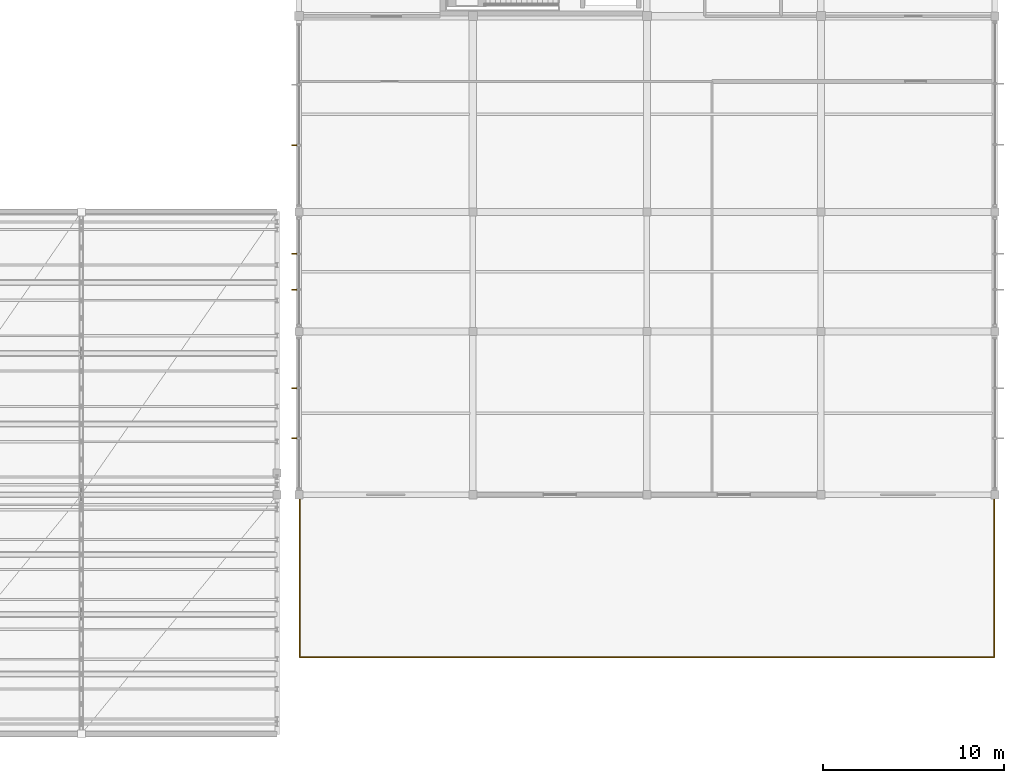
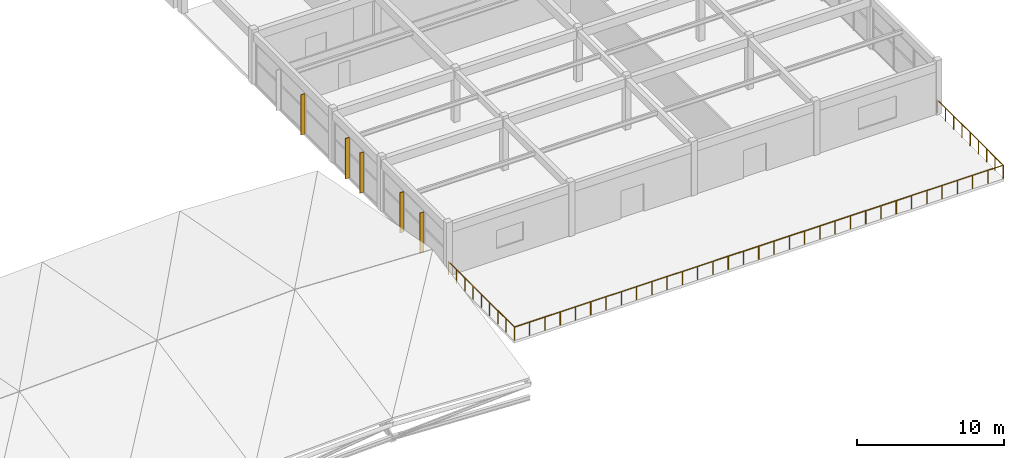
# One storey, part 84 of 89: 5 shading devices, 1 railing.
"""IFC4 building model written with IfcOpenShell, lengths in metres."""

from ifc_helpers import new_model, si_unit, direction, frame, origin, origin_2d, place, context, subcontext, project, spatial, rectangle, circle, extrude, material, type_object, element, save


model = new_model("IFC4")

# Units and contexts
model_context = context("Model", 3, precision=1e-05, world=origin(), true_north=direction((0.0, 1.0)))
body_context = subcontext(model_context, "Body", "Model", "MODEL_VIEW")
ifc_project = project(units=[si_unit("LENGTHUNIT", "METRE"), si_unit("AREAUNIT", "SQUARE_METRE"), si_unit("VOLUMEUNIT", "CUBIC_METRE"), si_unit("PLANEANGLEUNIT", "RADIAN"), si_unit("MASSUNIT", "GRAM", prefix="KILO")], contexts=[model_context])

# Site, building, storey
site_placement = place(None, origin())
site = spatial("IfcSite", under=ifc_project, at=site_placement, CompositionType="ELEMENT")
building_placement = place(site_placement, origin())
building = spatial("IfcBuilding", under=site, at=building_placement, Name="Suirenkawa Promenade Aquatics Centre", CompositionType="ELEMENT")
storey_placement = place(building_placement, frame((0.0, 0.0, 9.60009765625)))
storey = spatial("IfcBuildingStorey", under=building, at=storey_placement, Name="L02", CompositionType="ELEMENT", Elevation=9.60009765625)

# Railing
ifc_material_1 = material(Name="Marine-grade stainless steel Grade 316L", Category="steel")
railing_type = type_object("IfcRailingType", Name="RLT-BALUSTRADE-1120", PredefinedType="BALUSTRADE", material=ifc_material_1)
railing_placement = place(storey_placement, frame((156.0400390625, 13.199951171875, 0.0)))
element("IfcRailing", 1, at=railing_placement, inside=storey, type_object=railing_type, Name="Balustrade BAL-01 RL-0384", PredefinedType="BALUSTRADE", context=body_context, shape_type="SweptSolid", body=[
    extrude(circle(Radius=0.02392578125, at=origin_2d()), frame((0.0, 0.0, 1.09619140625), z_axis=(0.0, -1.0, 0.0), x_axis=(1.0, 0.0, 0.0)), (0.0, 0.0, 1.0), 8.9599609375),
    extrude(circle(Radius=0.02392578125, at=origin_2d()), frame((0.0, -8.9599609375, 1.09619140625), z_axis=(1.0, 0.0, 0.0), x_axis=(0.0, 1.0, 0.0)), (0.0, 0.0, 1.0), 38.320068359375),
    extrude(circle(Radius=0.02392578125, at=origin_2d()), frame((38.320068359375, -8.9599609375, 1.09619140625), z_axis=(0.0, 1.0, 0.0), x_axis=(-1.0, 0.0, 0.0)), (0.0, 0.0, 1.0), 8.9599609375),
    extrude(circle(Radius=0.02099609375, at=origin_2d()), origin(), (0.0, 0.0, 1.0), 1.072021484375),
    extrude(circle(Radius=0.02099609375, at=origin_2d()), frame((0.0, -1.1201171875, 0.0)), (0.0, 0.0, 1.0), 1.072021484375),
    extrude(circle(Radius=0.02099609375, at=origin_2d()), frame((0.0, -2.239990234375, 0.0)), (0.0, 0.0, 1.0), 1.072021484375),
    extrude(circle(Radius=0.02099609375, at=origin_2d()), frame((0.0, -3.35986328125, 0.0)), (0.0, 0.0, 1.0), 1.072021484375),
    extrude(circle(Radius=0.02099609375, at=origin_2d()), frame((0.0, -4.47998046875, 0.0)), (0.0, 0.0, 1.0), 1.072021484375),
    extrude(circle(Radius=0.02099609375, at=origin_2d()), frame((0.0, -5.60009765625, 0.0)), (0.0, 0.0, 1.0), 1.072021484375),
    extrude(circle(Radius=0.02099609375, at=origin_2d()), frame((0.0, -6.719970703125, 0.0)), (0.0, 0.0, 1.0), 1.072021484375),
    extrude(circle(Radius=0.02099609375, at=origin_2d()), frame((0.0, -7.83984375, 0.0)), (0.0, 0.0, 1.0), 1.072021484375),
    extrude(circle(Radius=0.02099609375, at=origin_2d()), frame((0.0, -8.9599609375, 0.0)), (0.0, 0.0, 1.0), 1.072021484375),
    extrude(circle(Radius=0.02099609375, at=origin_2d()), frame((1.197509765625, -8.9599609375, 0.0)), (0.0, 0.0, 1.0), 1.072021484375),
    extrude(circle(Radius=0.02099609375, at=origin_2d()), frame((2.39501953125, -8.9599609375, 0.0)), (0.0, 0.0, 1.0), 1.072021484375),
    extrude(circle(Radius=0.02099609375, at=origin_2d()), frame((3.592529296875, -8.9599609375, 0.0)), (0.0, 0.0, 1.0), 1.072021484375),
    extrude(circle(Radius=0.02099609375, at=origin_2d()), frame((4.7900390625, -8.9599609375, 0.0)), (0.0, 0.0, 1.0), 1.072021484375),
    extrude(circle(Radius=0.02099609375, at=origin_2d()), frame((5.987548828125, -8.9599609375, 0.0)), (0.0, 0.0, 1.0), 1.072021484375),
    extrude(circle(Radius=0.02099609375, at=origin_2d()), frame((7.18505859375, -8.9599609375, 0.0)), (0.0, 0.0, 1.0), 1.072021484375),
    extrude(circle(Radius=0.02099609375, at=origin_2d()), frame((8.382568359375, -8.9599609375, 0.0)), (0.0, 0.0, 1.0), 1.072021484375),
    extrude(circle(Radius=0.02099609375, at=origin_2d()), frame((9.580078125, -8.9599609375, 0.0)), (0.0, 0.0, 1.0), 1.072021484375),
    extrude(circle(Radius=0.02099609375, at=origin_2d()), frame((10.777587890625, -8.9599609375, 0.0)), (0.0, 0.0, 1.0), 1.072021484375),
    extrude(circle(Radius=0.02099609375, at=origin_2d()), frame((11.97509765625, -8.9599609375, 0.0)), (0.0, 0.0, 1.0), 1.072021484375),
    extrude(circle(Radius=0.02099609375, at=origin_2d()), frame((13.172607421875, -8.9599609375, 0.0)), (0.0, 0.0, 1.0), 1.072021484375),
    extrude(circle(Radius=0.02099609375, at=origin_2d()), frame((14.3701171875, -8.9599609375, 0.0)), (0.0, 0.0, 1.0), 1.072021484375),
    extrude(circle(Radius=0.02099609375, at=origin_2d()), frame((15.567626953125, -8.9599609375, 0.0)), (0.0, 0.0, 1.0), 1.072021484375),
    extrude(circle(Radius=0.02099609375, at=origin_2d()), frame((16.76513671875, -8.9599609375, 0.0)), (0.0, 0.0, 1.0), 1.072021484375),
    extrude(circle(Radius=0.02099609375, at=origin_2d()), frame((17.962646484375, -8.9599609375, 0.0)), (0.0, 0.0, 1.0), 1.072021484375),
    extrude(circle(Radius=0.02099609375, at=origin_2d()), frame((19.16015625, -8.9599609375, 0.0)), (0.0, 0.0, 1.0), 1.072021484375),
    extrude(circle(Radius=0.02099609375, at=origin_2d()), frame((20.357421875, -8.9599609375, 0.0)), (0.0, 0.0, 1.0), 1.072021484375),
    extrude(circle(Radius=0.02099609375, at=origin_2d()), frame((21.554931640625, -8.9599609375, 0.0)), (0.0, 0.0, 1.0), 1.072021484375),
    extrude(circle(Radius=0.02099609375, at=origin_2d()), frame((22.75244140625, -8.9599609375, 0.0)), (0.0, 0.0, 1.0), 1.072021484375),
    extrude(circle(Radius=0.02099609375, at=origin_2d()), frame((23.949951171875, -8.9599609375, 0.0)), (0.0, 0.0, 1.0), 1.072021484375),
    extrude(circle(Radius=0.02099609375, at=origin_2d()), frame((25.1474609375, -8.9599609375, 0.0)), (0.0, 0.0, 1.0), 1.072021484375),
    extrude(circle(Radius=0.02099609375, at=origin_2d()), frame((26.344970703125, -8.9599609375, 0.0)), (0.0, 0.0, 1.0), 1.072021484375),
    extrude(circle(Radius=0.02099609375, at=origin_2d()), frame((27.54248046875, -8.9599609375, 0.0)), (0.0, 0.0, 1.0), 1.072021484375),
    extrude(circle(Radius=0.02099609375, at=origin_2d()), frame((28.739990234375, -8.9599609375, 0.0)), (0.0, 0.0, 1.0), 1.072021484375),
    extrude(circle(Radius=0.02099609375, at=origin_2d()), frame((29.9375, -8.9599609375, 0.0)), (0.0, 0.0, 1.0), 1.072021484375),
    extrude(circle(Radius=0.02099609375, at=origin_2d()), frame((31.135009765625, -8.9599609375, 0.0)), (0.0, 0.0, 1.0), 1.072021484375),
    extrude(circle(Radius=0.02099609375, at=origin_2d()), frame((32.33251953125, -8.9599609375, 0.0)), (0.0, 0.0, 1.0), 1.072021484375),
    extrude(circle(Radius=0.02099609375, at=origin_2d()), frame((33.530029296875, -8.9599609375, 0.0)), (0.0, 0.0, 1.0), 1.072021484375),
    extrude(circle(Radius=0.02099609375, at=origin_2d()), frame((34.7275390625, -8.9599609375, 0.0)), (0.0, 0.0, 1.0), 1.072021484375),
    extrude(circle(Radius=0.02099609375, at=origin_2d()), frame((35.925048828125, -8.9599609375, 0.0)), (0.0, 0.0, 1.0), 1.072021484375),
    extrude(circle(Radius=0.02099609375, at=origin_2d()), frame((37.12255859375, -8.9599609375, 0.0)), (0.0, 0.0, 1.0), 1.072021484375),
    extrude(circle(Radius=0.02099609375, at=origin_2d()), frame((38.320068359375, -8.9599609375, 0.0)), (0.0, 0.0, 1.0), 1.072021484375),
    extrude(circle(Radius=0.02099609375, at=origin_2d()), frame((38.320068359375, -7.83984375, 0.0)), (0.0, 0.0, 1.0), 1.072021484375),
    extrude(circle(Radius=0.02099609375, at=origin_2d()), frame((38.320068359375, -6.719970703125, 0.0)), (0.0, 0.0, 1.0), 1.072021484375),
    extrude(circle(Radius=0.02099609375, at=origin_2d()), frame((38.320068359375, -5.60009765625, 0.0)), (0.0, 0.0, 1.0), 1.072021484375),
    extrude(circle(Radius=0.02099609375, at=origin_2d()), frame((38.320068359375, -4.47998046875, 0.0)), (0.0, 0.0, 1.0), 1.072021484375),
    extrude(circle(Radius=0.02099609375, at=origin_2d()), frame((38.320068359375, -3.35986328125, 0.0)), (0.0, 0.0, 1.0), 1.072021484375),
    extrude(circle(Radius=0.02099609375, at=origin_2d()), frame((38.320068359375, -2.239990234375, 0.0)), (0.0, 0.0, 1.0), 1.072021484375),
    extrude(circle(Radius=0.02099609375, at=origin_2d()), frame((38.320068359375, -1.1201171875, 0.0)), (0.0, 0.0, 1.0), 1.072021484375),
    extrude(circle(Radius=0.02099609375, at=origin_2d()), frame((38.320068359375, 0.0, 0.0)), (0.0, 0.0, 1.0), 1.072021484375),
])

# Shading devices
ifc_material_2 = material(Name="Anodised aluminium 6063-T6", Category="aluminium")
shading_device_type = type_object("IfcShadingDeviceType", Name="SDT-KOUSHI-320", PredefinedType="USERDEFINED", material=ifc_material_2)
for number, where, z_axis, x_axis, name in (
    (2, (155.76806640625, 16.31640625, 0.0400390625), (0.0, 0.0, 1.0), (-1.0, 0.0, 0.0), "Vertical solar shading fin FN-02 FIN-0051"),
    (3, (155.76806640625, 19.083740234375, 0.0400390625), (0.0, 0.0, 1.0), (-1.0, 0.0, 0.0), "Vertical solar shading fin FN-02 FIN-0052"),
    (4, (155.76806640625, 24.516357421875, 0.0400390625), (0.0, 0.0, 1.0), (-1.0, 0.0, 0.0), "Vertical solar shading fin FN-02 FIN-0055"),
    (5, (155.76806640625, 26.483642578125, 0.0400390625), (0.0, 0.0, 1.0), (-1.0, 0.0, 0.0), "Vertical solar shading fin FN-02 FIN-0056"),
    (6, (155.76806640625, 32.48291015625, 0.0400390625), (0.0, 0.0, 1.0), (-1.0, 0.0, 0.0), "Vertical solar shading fin FN-02 FIN-0059"),
):
    element("IfcShadingDevice", number, at=place(storey_placement, frame(where, z_axis=z_axis, x_axis=x_axis)), inside=storey, type_object=shading_device_type, Name=name, ObjectType="FIN", PredefinedType="USERDEFINED", context=body_context, shape_type="SweptSolid", body=[
        extrude(rectangle(XDim=0.320068359375, YDim=0.06005859375, at=origin_2d()), origin(), (0.0, 0.0, 1.0), 3.340087890625),
    ])

save(model, "model.ifc")
